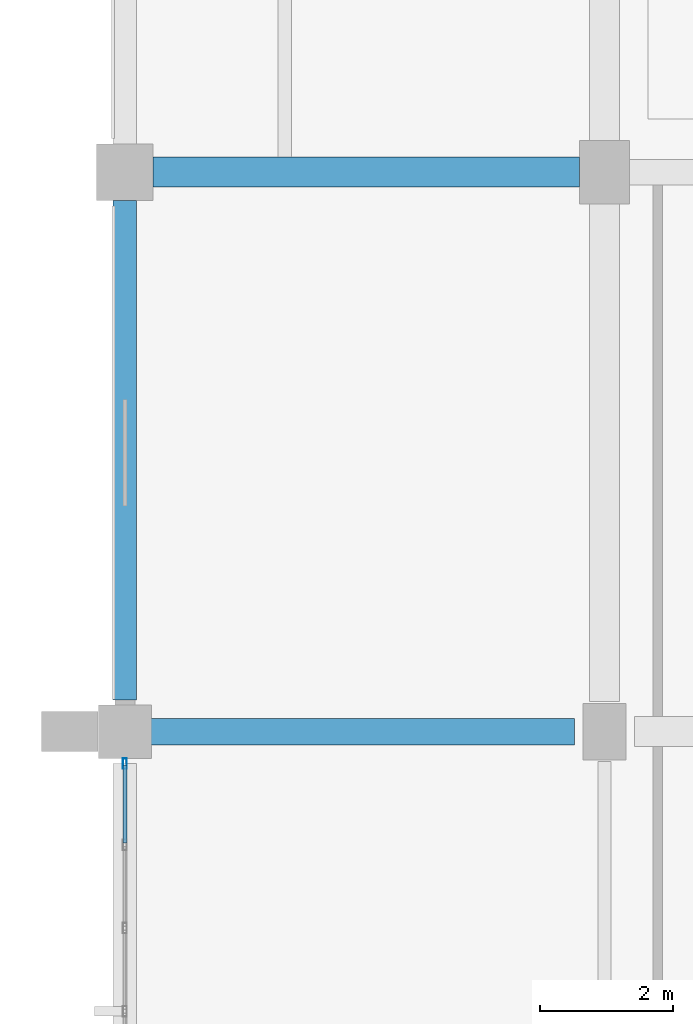
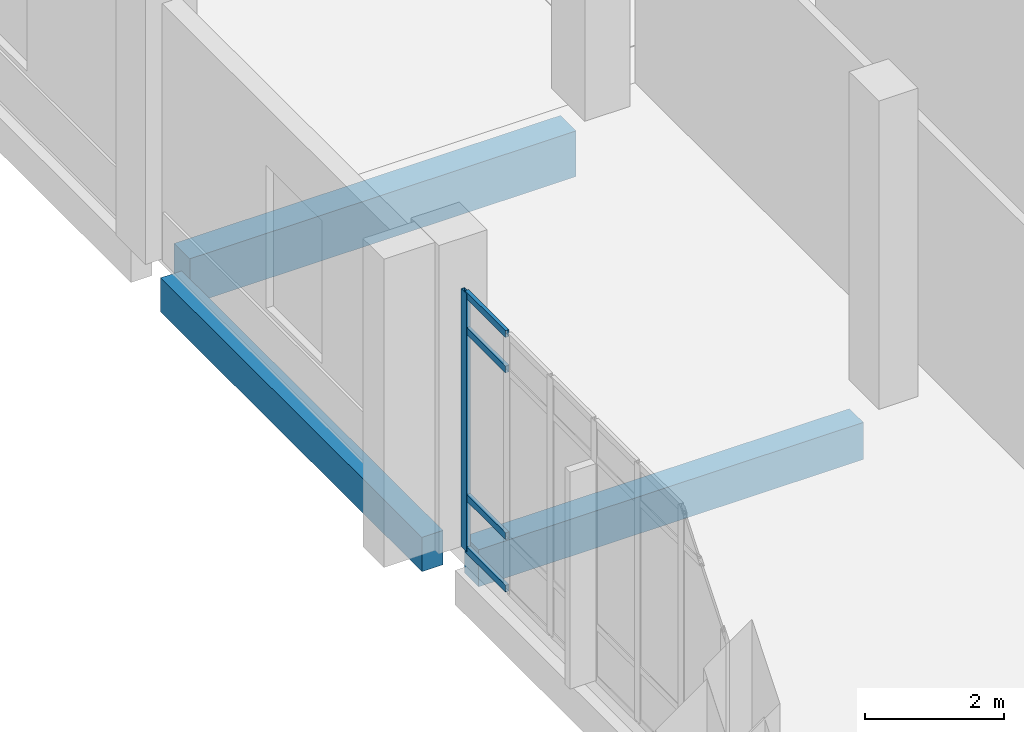
# One storey, part 40 of 110: 5 members, 3 beams, 1 element without a shape of its own.
"""IFC4 building model written with IfcOpenShell, lengths in metres."""

from ifc_helpers import new_model, si_unit, direction, frame, origin, origin_2d, place, context, subcontext, project, spatial, rectangle, hollow_rectangle, extrude, material, material_profile, profile_set, type_object, element, aggregate, save


model = new_model("IFC4")

# Units and contexts
model_context = context("Model", 3, precision=1e-05, world=origin(), true_north=direction((0.0, 1.0)))
body_context = subcontext(model_context, "Body", "Model", "MODEL_VIEW")
ifc_project = project(units=[si_unit("LENGTHUNIT", "METRE"), si_unit("AREAUNIT", "SQUARE_METRE"), si_unit("VOLUMEUNIT", "CUBIC_METRE"), si_unit("PLANEANGLEUNIT", "RADIAN"), si_unit("MASSUNIT", "GRAM", prefix="KILO")], contexts=[model_context])

# Site, building, storey
site_placement = place(None, origin())
site = spatial("IfcSite", under=ifc_project, at=site_placement, CompositionType="ELEMENT")
building_placement = place(site_placement, origin())
building = spatial("IfcBuilding", under=site, at=building_placement, Name="Kalluvel Institute of Natural Sciences", CompositionType="ELEMENT")
storey_placement = place(building_placement, origin())
storey = spatial("IfcBuildingStorey", under=building, at=storey_placement, Name="L00", CompositionType="ELEMENT", Elevation=0.0)

# Beams
ifc_material_1 = material(Name="Concrete M40", Category="concrete")
ifc_material_profile_1 = material_profile(ifc_material_1, rectangle(XDim=0.39990234375, YDim=0.64990234375, at=origin_2d()), Name="RCB 400x650")
ifc_profile_set_1 = profile_set([ifc_material_profile_1], Name="Concrete M40")
beam_type_1 = type_object("IfcBeamType", Name="BM-RC400x650", PredefinedType="BEAM", material=ifc_profile_set_1)
beam_1_placement = place(storey_placement, frame((14.375, 94.39990234375, -0.64501953125), z_axis=(1.0, 0.0, 0.0), x_axis=(0.0, 1.0, 0.0)))
element("IfcBeam", 1, at=beam_1_placement, inside=storey, type_object=beam_type_1, Name="L00 girder GIR-L00-EW-X140-Y944", PredefinedType="BEAM", context=body_context, shape_type="SweptSolid", body=[
    extrude(rectangle(XDim=0.39990234375, YDim=0.64990234375, at=origin_2d()), origin(), (0.0, 0.0, 1.0), 6.375),
])
ifc_material_profile_2 = material_profile(ifc_material_1, rectangle(XDim=0.449951171875, YDim=0.800048828125, at=origin_2d()), Name="RCB 450x800")
ifc_profile_set_2 = profile_set([ifc_material_profile_2], Name="Concrete M40")
beam_type_2 = type_object("IfcBeamType", Name="BM-RC450x800", PredefinedType="BEAM", material=ifc_profile_set_2)
beam_2_placement = place(storey_placement, frame((14.425048828125, 102.800048828125, -0.719970703125), z_axis=(1.0, 0.0, 0.0), x_axis=(0.0, 1.0, 0.0)))
element("IfcBeam", 2, at=beam_2_placement, inside=storey, type_object=beam_type_2, Name="L00 girder GIR-L00-EW-X140-Y1028", PredefinedType="BEAM", context=body_context, shape_type="SweptSolid", body=[
    extrude(rectangle(XDim=0.449951171875, YDim=0.800048828125, at=origin_2d()), origin(), (0.0, 0.0, 1.0), 6.39990234375),
])

# Curtain wall, members
ifc_material_2 = material(Name="Aluminium AW-6063 T6", Category="aluminium")
curtain_wall_type = type_object("IfcCurtainWallType", Name="CW-DRY-54", PredefinedType="USERDEFINED", material=ifc_material_2)
curtain_wall_placement = place(storey_placement, origin())
curtain_wall = element("IfcCurtainWall", 3, at=curtain_wall_placement, inside=storey, type_object=curtain_wall_type, Name="L00 Gothic lancet curtain wall CWA-L00-X140-Y864", ObjectType="UNITISED LANCET FACADE", PredefinedType="USERDEFINED")
ifc_material_profile_3 = material_profile(ifc_material_2, hollow_rectangle(XDim=0.06005859375, YDim=0.159912109375, WallThickness=0.00390625, at=origin_2d()), Name="CWM 60x160")
ifc_profile_set_3 = profile_set([ifc_material_profile_3], Name="Aluminium AW-6063 T6")
member_type_1 = type_object("IfcMemberType", Name="CWM-60x160", PredefinedType="MULLION", material=ifc_profile_set_3)
member_1_placement = place(storey_placement, frame((14.0, 93.919921875, 0.0), z_axis=(0.0, 0.0, 1.0), x_axis=(-1.0, 0.0, 0.0)))
member_1 = element("IfcMember", 4, at=member_1_placement, type_object=member_type_1, Name="CW-04 mullion 7", PredefinedType="MULLION", context=body_context, shape_type="SweptSolid", body=[
    extrude(hollow_rectangle(XDim=0.06005859375, YDim=0.159912109375, WallThickness=0.00390625, at=origin_2d()), origin(), (0.0, 0.0, 1.0), 4.52001953125),
])
ifc_material_profile_4 = material_profile(ifc_material_2, hollow_rectangle(XDim=0.06005859375, YDim=0.1201171875, WallThickness=0.00390625, at=origin_2d()), Name="CWT 60x120")
ifc_profile_set_4 = profile_set([ifc_material_profile_4], Name="Aluminium AW-6063 T6")
member_type_2 = type_object("IfcMemberType", Name="CWT-60x120", PredefinedType="USERDEFINED", material=ifc_profile_set_4)
member_2_placement = place(storey_placement, frame((14.0, 92.72998046875, 0.030029296875), z_axis=(0.0, 1.0, 0.0), x_axis=(-1.0, 0.0, 0.0)))
member_2 = element("IfcMember", 5, at=member_2_placement, type_object=member_type_2, Name="CW-04 transom 6.1", ObjectType="TRANSOM", PredefinedType="USERDEFINED", context=body_context, shape_type="SweptSolid", body=[
    extrude(hollow_rectangle(XDim=0.06005859375, YDim=0.1201171875, WallThickness=0.00390625, at=origin_2d()), origin(), (0.0, 0.0, 1.0), 1.159912109375),
])
member_3_placement = place(storey_placement, frame((14.0, 92.72998046875, 0.949951171875), z_axis=(0.0, 1.0, 0.0), x_axis=(-1.0, 0.0, 0.0)))
member_3 = element("IfcMember", 6, at=member_3_placement, type_object=member_type_2, Name="CW-04 transom 6.2", ObjectType="TRANSOM", PredefinedType="USERDEFINED", context=body_context, shape_type="SweptSolid", body=[
    extrude(hollow_rectangle(XDim=0.06005859375, YDim=0.1201171875, WallThickness=0.00390625, at=origin_2d()), origin(), (0.0, 0.0, 1.0), 1.159912109375),
])
member_4_placement = place(storey_placement, frame((14.0, 92.72998046875, 3.8701171875), z_axis=(0.0, 1.0, 0.0), x_axis=(-1.0, 0.0, 0.0)))
member_4 = element("IfcMember", 7, at=member_4_placement, type_object=member_type_2, Name="CW-04 transom 6.3", ObjectType="TRANSOM", PredefinedType="USERDEFINED", context=body_context, shape_type="SweptSolid", body=[
    extrude(hollow_rectangle(XDim=0.06005859375, YDim=0.1201171875, WallThickness=0.00390625, at=origin_2d()), origin(), (0.0, 0.0, 1.0), 1.159912109375),
])
member_5_placement = place(storey_placement, frame((14.0, 92.72998046875, 4.489990234375), z_axis=(0.0, 1.0, 0.0), x_axis=(-1.0, 0.0, 0.0)))
member_5 = element("IfcMember", 8, at=member_5_placement, type_object=member_type_2, Name="CW-04 transom 6.4", ObjectType="TRANSOM", PredefinedType="USERDEFINED", context=body_context, shape_type="SweptSolid", body=[
    extrude(hollow_rectangle(XDim=0.06005859375, YDim=0.1201171875, WallThickness=0.00390625, at=origin_2d()), origin(), (0.0, 0.0, 1.0), 1.159912109375),
])
aggregate(curtain_wall, [member_1, member_2, member_3, member_4, member_5])

# Beam
ifc_material_profile_5 = material_profile(ifc_material_1, rectangle(XDim=0.35009765625, YDim=0.60009765625, at=origin_2d()), Name="RCB 350x600")
ifc_profile_set_5 = profile_set([ifc_material_profile_5], Name="Concrete M40")
beam_type_3 = type_object("IfcBeamType", Name="SP-RC350x600", PredefinedType="SPANDREL", material=ifc_profile_set_5)
beam_3_placement = place(storey_placement, frame((14.0, 94.875, -0.6201171875), z_axis=(0.0, 1.0, 0.0), x_axis=(-1.0, 0.0, 0.0)))
element("IfcBeam", 9, at=beam_3_placement, inside=storey, type_object=beam_type_3, Name="L00 girder GIR-L00-NS-X140-Y944", PredefinedType="SPANDREL", context=body_context, shape_type="SweptSolid", body=[
    extrude(rectangle(XDim=0.35009765625, YDim=0.60009765625, at=origin_2d()), origin(), (0.0, 0.0, 1.0), 7.5),
])

save(model, "model.ifc")
